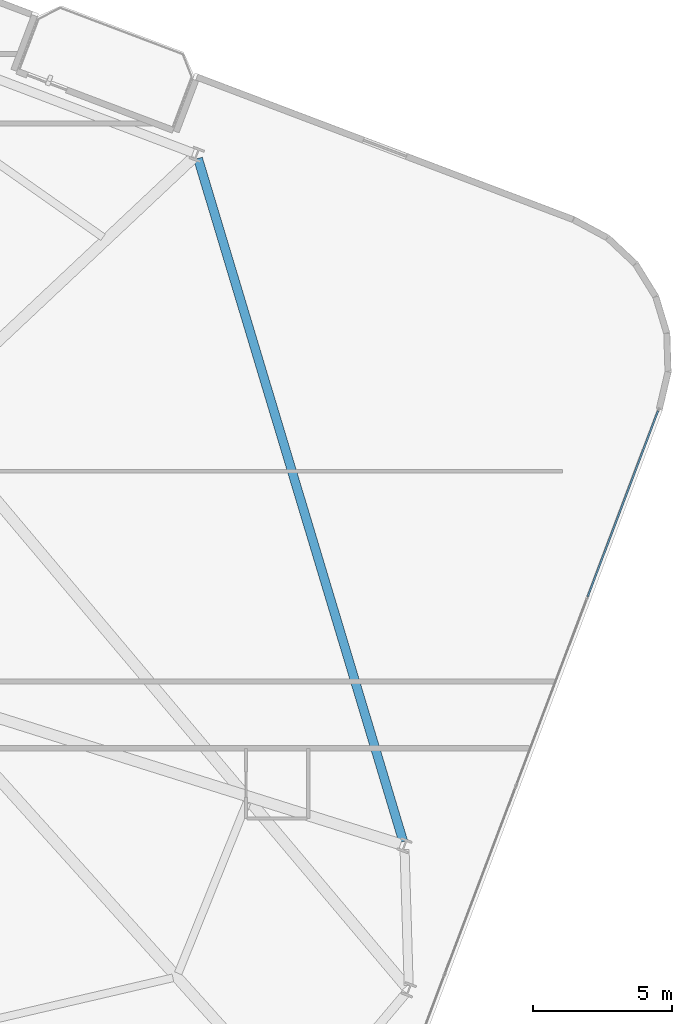
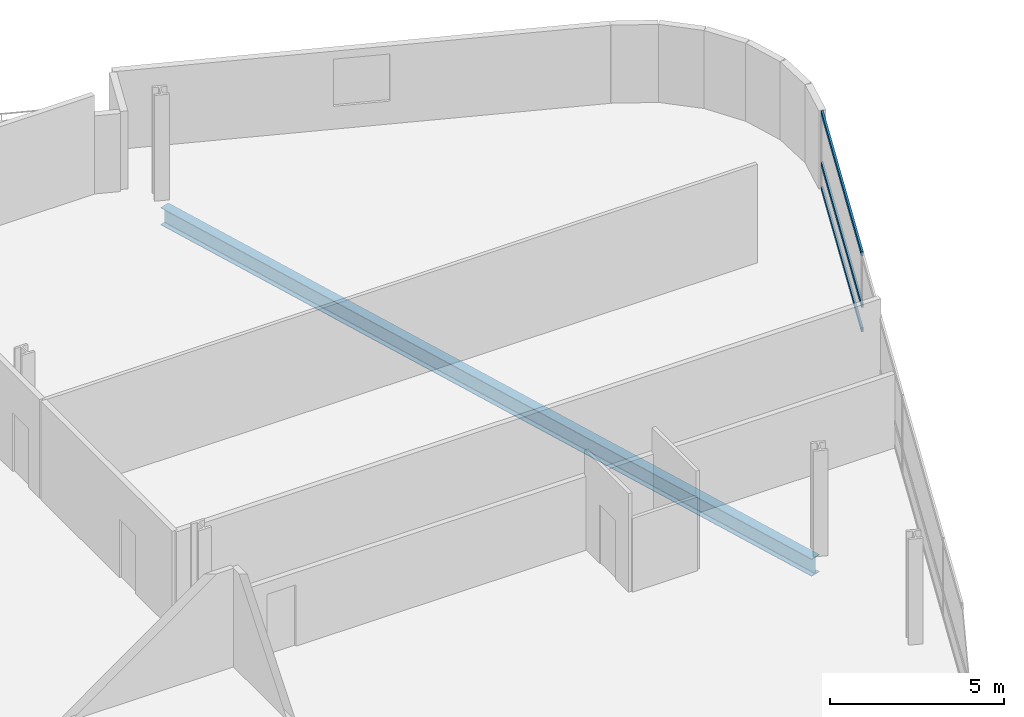
# One storey, part 15 of 25: 3 members, 1 beam, 1 element without a shape of its own.
"""IFC4 building model written with IfcOpenShell, lengths in metres."""

import ifcopenshell
import ifcopenshell.guid

model = None  # the IFC model being written
_history = None  # IfcOwnerHistory: only IFC2X3 demands one
_inside = {}  # id of a spatial element -> (the spatial element, [elements in it])
_under = {}  # id of a project, library or spatial element -> (it, [spatial elements below it])
_declared = {}  # id of a project -> (the project, [libraries it declares])
_typed = {}  # id of a type object -> (the type object, [elements of that type])
_made_of = {}  # id of a material, layer set ... -> (it, [elements and type objects made of it])


def new_model(schema):
    """Start an empty IFC model of exactly this schema.

    Asked for "IFC4X3", IfcOpenShell would pick the latest addendum, in which some entities
    have other attributes; the version numbers below select the first issue.
    IFC2X3 requires an IfcOwnerHistory on every rooted entity: one is made here for all.
    """
    global model, _history
    if schema == "IFC4X3":
        model = ifcopenshell.file(schema_version=(4, 3, 0, 0))
    else:
        model = ifcopenshell.file(schema=schema)
    _inside.clear()
    _under.clear()
    _declared.clear()
    _typed.clear()
    _made_of.clear()
    _history = None
    if model.schema == "IFC2X3":
        org = make("IfcOrganization", Name="unknown")
        user = make(
            "IfcPersonAndOrganization",
            ThePerson=make("IfcPerson", FamilyName="unknown"),
            TheOrganization=org,
        )
        app = make(
            "IfcApplication",
            ApplicationDeveloper=org,
            Version="unknown",
            ApplicationFullName="unknown",
            ApplicationIdentifier="unknown",
        )
        _history = make(
            "IfcOwnerHistory",
            OwningUser=user,
            OwningApplication=app,
            ChangeAction="ADDED",
            CreationDate=0,
        )
    return model


def make(cls, **values):
    """One entity of the class cls with the attributes given. An attribute that is None is left unset."""
    return model.create_entity(
        cls, **{name: value for name, value in values.items() if value is not None}
    )


def rooted(cls, **values):
    """An entity with a GlobalId (a new one), such as an element, a storey or a relation."""
    return make(cls, GlobalId=ifcopenshell.guid.new(), OwnerHistory=_history, **values)


def si_unit(unit_type, name, prefix=None):
    """IfcSIUnit, for example si_unit("LENGTHUNIT", "METRE", prefix="MILLI")."""
    return make("IfcSIUnit", UnitType=unit_type, Prefix=prefix, Name=name)


def assignment(units):
    """IfcUnitAssignment: the units of a project."""
    return None if units is None else make("IfcUnitAssignment", Units=units)


def point(xyz):
    """IfcCartesianPoint."""
    return None if xyz is None else make("IfcCartesianPoint", Coordinates=xyz)


def direction(xyz):
    """IfcDirection."""
    return None if xyz is None else make("IfcDirection", DirectionRatios=xyz)


def frame(location, z_axis=None, x_axis=None):
    """IfcAxis2Placement3D, a coordinate frame: its origin and axes. An axis left out is left unset."""
    return make(
        "IfcAxis2Placement3D",
        Location=point(location),
        Axis=direction(z_axis),
        RefDirection=direction(x_axis),
    )


def frame_2d(location, x_axis=None):
    """IfcAxis2Placement2D, a coordinate frame in the plane: its origin and x axis."""
    return make(
        "IfcAxis2Placement2D", Location=point(location), RefDirection=direction(x_axis)
    )


def origin():
    """The frame at (0, 0, 0) with its axes left unset."""
    return frame((0.0, 0.0, 0.0))


def origin_2d():
    """The frame at (0, 0) in the plane with its x axis left unset."""
    return frame_2d((0.0, 0.0))


def place(relative_to, where):
    """IfcLocalPlacement: puts the frame where relative to a parent placement (None: the world)."""
    return make(
        "IfcLocalPlacement", PlacementRelTo=relative_to, RelativePlacement=where
    )


def context(
    kind, dimensions, precision=None, world=None, true_north=None, identifier=None
):
    """IfcGeometricRepresentationContext, for example the 3D "Model" context."""
    return make(
        "IfcGeometricRepresentationContext",
        ContextIdentifier=identifier,
        ContextType=kind,
        CoordinateSpaceDimension=dimensions,
        Precision=precision,
        WorldCoordinateSystem=world,
        TrueNorth=true_north,
    )


def subcontext(parent, identifier, kind, view, scale=None):
    """IfcGeometricRepresentationSubContext, for example "Body" below "Model"."""
    return make(
        "IfcGeometricRepresentationSubContext",
        ContextIdentifier=identifier,
        ContextType=kind,
        ParentContext=parent,
        TargetScale=scale,
        TargetView=view,
    )


def project(units=None, contexts=None):
    """IfcProject with its units and contexts."""
    return rooted(
        "IfcProject",
        Name="project",
        RepresentationContexts=contexts,
        UnitsInContext=assignment(units),
    )


def spatial(cls, under=None, at=None, **own):
    """A site, building, storey or space (cls), placed at a placement, below another one or the project."""
    s = rooted(cls, ObjectPlacement=at, **own)
    if under is not None:
        _under.setdefault(under.id(), (under, []))[1].append(s)
    return s


def profile(cls, at=None, kind="AREA", **sizes):
    """A parametric profile (cls). Its sizes go by their IFC names, for example OverallWidth=200.0."""
    return make(cls, ProfileType=kind, Position=at, **sizes)


def hollow_rectangle(**sizes):
    """IfcRectangleHollowProfileDef."""
    return profile("IfcRectangleHollowProfileDef", **sizes)


def i_section(**sizes):
    """IfcIShapeProfileDef."""
    return profile("IfcIShapeProfileDef", **sizes)


def extrude(swept, where, along, depth):
    """IfcExtrudedAreaSolid: the profile swept, set in the frame where, extruded along a direction by depth."""
    return make(
        "IfcExtrudedAreaSolid",
        SweptArea=swept,
        Position=where,
        ExtrudedDirection=direction(along),
        Depth=depth,
    )


def shape(context_of_items, identifier, shape_type, items):
    """IfcShapeRepresentation: the items that make up one representation, for example the "Body"."""
    return make(
        "IfcShapeRepresentation",
        ContextOfItems=context_of_items,
        RepresentationIdentifier=identifier,
        RepresentationType=shape_type,
        Items=items,
    )


def material(Name=None, Category=None):
    """IfcMaterial."""
    return make("IfcMaterial", Name=Name, Category=Category)


def layer(
    of_material, thickness, ventilated=None, Name=None, Category=None, Priority=None
):
    """IfcMaterialLayer: one layer of a wall or slab, of a material (None: an air gap)."""
    return make(
        "IfcMaterialLayer",
        Material=of_material,
        LayerThickness=thickness,
        IsVentilated=ventilated,
        Name=Name,
        Category=Category,
        Priority=Priority,
    )


def layer_set(layers, Name=None):
    """IfcMaterialLayerSet."""
    return make("IfcMaterialLayerSet", MaterialLayers=layers, LayerSetName=Name)


def material_profile(
    of_material, cross_section, Name=None, Category=None, Priority=None
):
    """IfcMaterialProfile: a cross section and its material."""
    return make(
        "IfcMaterialProfile",
        Name=Name,
        Material=of_material,
        Profile=cross_section,
        Priority=Priority,
        Category=Category,
    )


def profile_set(profiles, Name=None, composite=None):
    """IfcMaterialProfileSet."""
    return make(
        "IfcMaterialProfileSet",
        Name=Name,
        MaterialProfiles=profiles,
        CompositeProfile=composite,
    )


def made_of(thing, what):
    """Note that an element or type object is made of a material, layer set ...; save() writes the relation."""
    if what is not None:
        _made_of.setdefault(what.id(), (what, []))[1].append(thing)
    return thing


def type_object(cls, material=None, **own):
    """A type object (cls), such as IfcWallType, which elements share."""
    return made_of(rooted(cls, **own), material)


def element(
    cls,
    number,
    at=None,
    inside=None,
    cuts=None,
    type_object=None,
    material=None,
    context=None,
    identifier="Body",
    shape_type=None,
    held_by="IfcProductDefinitionShape",
    body=None,
    shapes=None,
    **own,
):
    """One element of the class cls, such as IfcWall. Its Tag is "e" and its number.

    at: its placement. inside: the storey or other place that contains it. cuts: it is an
    opening in that element (IfcRelVoidsElement). A single representation is given by context,
    identifier, shape_type and body (its items); several are given by shapes. held_by: the class
    of the entity that holds the representations. save() writes the other relations.
    """
    e = rooted(cls, Tag="e%d" % number, ObjectPlacement=at, **own)
    if body is not None:
        shapes = [shape(context, identifier, shape_type, body)]
    if shapes is not None:
        e.Representation = make(held_by, Representations=shapes)
    if inside is not None:
        _inside.setdefault(inside.id(), (inside, []))[1].append(e)
    if cuts is not None:
        rooted(
            "IfcRelVoidsElement", RelatingBuildingElement=cuts, RelatedOpeningElement=e
        )
    if type_object is not None:
        _typed.setdefault(type_object.id(), (type_object, []))[1].append(e)
    return made_of(e, material)


def aggregate(whole, parts):
    """IfcRelAggregates: a whole, such as a stair, and the parts it consists of."""
    return rooted("IfcRelAggregates", RelatingObject=whole, RelatedObjects=parts)


def save(model, path):
    """Write the relations noted so far, then the file.

    IfcRelAggregates (storeys below a building ...), IfcRelContainedInSpatialStructure (elements
    in a storey), IfcRelDefinesByType, IfcRelAssociatesMaterial and IfcRelDeclares: one each for
    every whole, place, type object, material and project.
    """
    for whole, parts in _under.values():
        aggregate(whole, parts)
    for where, things in _inside.values():
        rooted(
            "IfcRelContainedInSpatialStructure",
            RelatedElements=things,
            RelatingStructure=where,
        )
    for kind, things in _typed.values():
        rooted("IfcRelDefinesByType", RelatedObjects=things, RelatingType=kind)
    for what, things in _made_of.values():
        rooted("IfcRelAssociatesMaterial", RelatedObjects=things, RelatingMaterial=what)
    for by, libraries in _declared.values():
        rooted("IfcRelDeclares", RelatingContext=by, RelatedDefinitions=libraries)
    model.write(path)


model = new_model("IFC4")

# Units and contexts
model_context = context("Model", 3, precision=1e-05, world=origin(), true_north=direction((0.0, 1.0)))
body_context = subcontext(model_context, "Body", "Model", "MODEL_VIEW")
ifc_project = project(units=[si_unit("LENGTHUNIT", "METRE"), si_unit("AREAUNIT", "SQUARE_METRE"), si_unit("VOLUMEUNIT", "CUBIC_METRE"), si_unit("PLANEANGLEUNIT", "RADIAN"), si_unit("MASSUNIT", "GRAM", prefix="KILO")], contexts=[model_context])

# Site, building, storey
site_placement = place(None, origin())
site = spatial("IfcSite", under=ifc_project, at=site_placement, CompositionType="ELEMENT")
building_placement = place(site_placement, origin())
building = spatial("IfcBuilding", under=site, at=building_placement, Name="Varnelok Gate Tower", CompositionType="ELEMENT")
storey_placement = place(building_placement, frame((0.0, 0.0, 105.800048828125)))
storey = spatial("IfcBuildingStorey", under=building, at=storey_placement, Name="L26", CompositionType="ELEMENT", Elevation=105.800048828125)

# Beam
ifc_material_1 = material(Name="Structural Steel ASTM A992 Grade 50", Category="steel")
ifc_material_profile_1 = material_profile(ifc_material_1, i_section(OverallWidth=0.323974609375, OverallDepth=0.611083984375, WebThickness=0.0126953125, FlangeThickness=0.01904296875, FilletRadius=0.01806640625, at=origin_2d()), Name="W24X104")
ifc_profile_set_1 = profile_set([ifc_material_profile_1], Name="Structural Steel ASTM A992 Grade 50")
beam_type = type_object("IfcBeamType", Name="BM-SPN-W24X104", PredefinedType="SPANDREL", material=ifc_profile_set_1)
beam_placement = place(storey_placement, frame((71.27587890625, 13.497802734375, -0.5556640625), z_axis=(-0.287745549664, 0.957706896001, 0.0), x_axis=(-0.957706896001, -0.287745549664, 0.0)))
element("IfcBeam", 1, at=beam_placement, inside=storey, type_object=beam_type, Name="L26 Perimeter Spandrel Beam 8", PredefinedType="SPANDREL", context=body_context, shape_type="SweptSolid", body=[
    extrude(i_section(OverallWidth=0.323974609375, OverallDepth=0.611083984375, WebThickness=0.0126953125, FlangeThickness=0.01904296875, FilletRadius=0.01806640625, at=origin_2d()), origin(), (0.0, 0.0, 1.0), 25.6259765625),
])

# Curtain wall, members
ifc_material_2 = material(Name="Anodized Aluminum Alloy 6063-T6", Category="aluminium")
ifc_layer = layer(ifc_material_2, 0.179931640625)
ifc_layer_set = layer_set([ifc_layer], Name="Anodized Aluminum Alloy 6063-T6")
curtain_wall_type = type_object("IfcCurtainWallType", Name="CW3-HOTEL-VISION", PredefinedType="USERDEFINED", material=ifc_layer_set)
curtain_wall_placement = place(storey_placement, origin())
curtain_wall = element("IfcCurtainWall", 2, at=curtain_wall_placement, inside=storey, type_object=curtain_wall_type, Name="L26 East End Vision Curtain Wall", ObjectType="UNITISED CURTAIN WALL", PredefinedType="USERDEFINED")
ifc_material_profile_2 = material_profile(ifc_material_2, hollow_rectangle(XDim=0.06494140625, YDim=0.159912109375, WallThickness=0.00390625, at=origin_2d()), Name="ALU160X65X4")
ifc_profile_set_2 = profile_set([ifc_material_profile_2], Name="Anodized Aluminum Alloy 6063-T6")
member_type = type_object("IfcMemberType", Name="CW-TRAN-160", PredefinedType="USERDEFINED", material=ifc_profile_set_2)
member_1_placement = place(storey_placement, frame((80.431884765625, 28.974365234375, 0.032470703125), z_axis=(-0.35404725046, -0.935227536187, 0.0), x_axis=(0.935227536187, -0.35404725046, 0.0)))
member_1 = element("IfcMember", 3, at=member_1_placement, type_object=member_type, Name="CW3 transom 1.1", ObjectType="TRANSOM", PredefinedType="USERDEFINED", context=body_context, shape_type="SweptSolid", body=[
    extrude(hollow_rectangle(XDim=0.06494140625, YDim=0.159912109375, WallThickness=0.00390625, at=origin_2d()), origin(), (0.0, 0.0, 1.0), 7.142578125),
])
member_2_placement = place(storey_placement, frame((80.431884765625, 28.974365234375, 0.89990234375), z_axis=(-0.35404725046, -0.935227536187, 0.0), x_axis=(0.935227536187, -0.35404725046, 0.0)))
member_2 = element("IfcMember", 4, at=member_2_placement, type_object=member_type, Name="CW3 transom 1.2", ObjectType="TRANSOM", PredefinedType="USERDEFINED", context=body_context, shape_type="SweptSolid", body=[
    extrude(hollow_rectangle(XDim=0.06494140625, YDim=0.159912109375, WallThickness=0.00390625, at=origin_2d()), origin(), (0.0, 0.0, 1.0), 7.142578125),
])
member_3_placement = place(storey_placement, frame((80.431884765625, 28.974365234375, 2.697509765625), z_axis=(-0.35404725046, -0.935227536187, 0.0), x_axis=(0.935227536187, -0.35404725046, 0.0)))
member_3 = element("IfcMember", 5, at=member_3_placement, type_object=member_type, Name="CW3 transom 1.3", ObjectType="TRANSOM", PredefinedType="USERDEFINED", context=body_context, shape_type="SweptSolid", body=[
    extrude(hollow_rectangle(XDim=0.06494140625, YDim=0.159912109375, WallThickness=0.00390625, at=origin_2d()), origin(), (0.0, 0.0, 1.0), 7.142578125),
])
aggregate(curtain_wall, [member_1, member_2, member_3])

save(model, "model.ifc")
